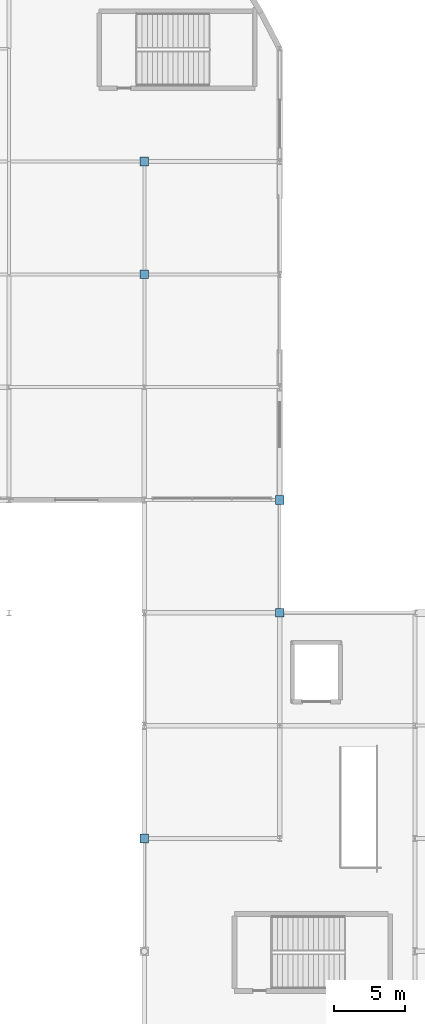
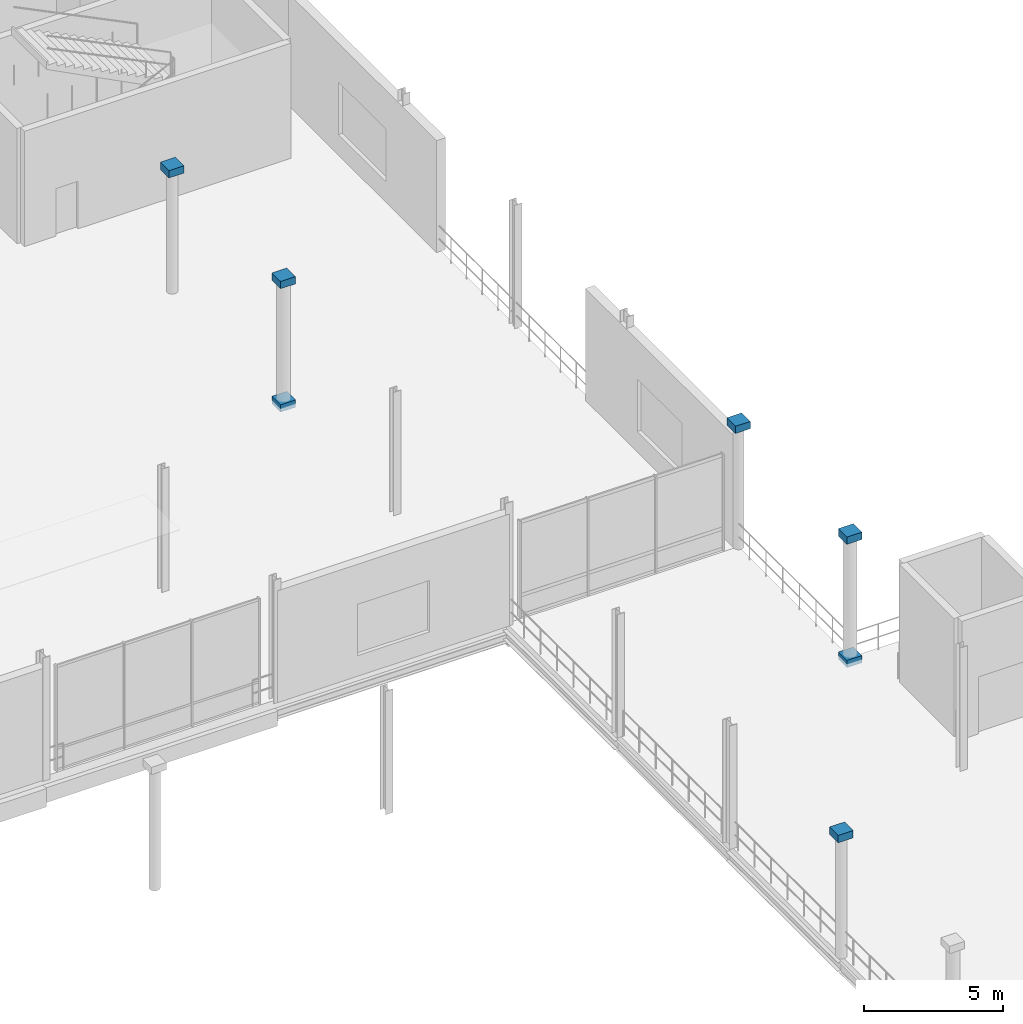
# One storey, part 98 of 129: 7 discrete accessories.
"""IFC4 building model written with IfcOpenShell, lengths in metres."""

from ifc_helpers import new_model, si_unit, direction, frame, origin, origin_2d, place, context, subcontext, project, spatial, rectangle, extrude, material, type_object, element, save


model = new_model("IFC4")

# Units and contexts
model_context = context("Model", 3, precision=1e-05, world=origin(), true_north=direction((0.0, 1.0)))
body_context = subcontext(model_context, "Body", "Model", "MODEL_VIEW")
ifc_project = project(units=[si_unit("LENGTHUNIT", "METRE"), si_unit("AREAUNIT", "SQUARE_METRE"), si_unit("VOLUMEUNIT", "CUBIC_METRE"), si_unit("PLANEANGLEUNIT", "RADIAN"), si_unit("MASSUNIT", "GRAM", prefix="KILO")], contexts=[model_context])

# Site, building, storey
site_placement = place(None, origin())
site = spatial("IfcSite", under=ifc_project, at=site_placement, CompositionType="ELEMENT")
building_placement = place(site_placement, origin())
building = spatial("IfcBuilding", under=site, at=building_placement, Name="Danafjord Basin Convention Centre", CompositionType="ELEMENT")
storey_placement = place(building_placement, frame((0.0, 0.0, 6.0)))
storey = spatial("IfcBuildingStorey", under=building, at=storey_placement, Name="L01", CompositionType="ELEMENT", Elevation=6.0)

# Discrete accessories
ifc_material = material(Name="Steel S355", Category="steel")
discrete_accessory_type = type_object("IfcDiscreteAccessoryType", Name="ACC-SF-HUB", PredefinedType="BRACKET", material=ifc_material)
for number, where, z_axis, x_axis, name in (
    (1, (192.0, 64.0, 5.23974609375), (0.0, 0.0, 1.0), (1.0, 0.0, 0.0), "Tubular steel column top cap plate"),
    (2, (192.0, 104.0, -0.16015625), (0.0, 0.0, 1.0), (1.0, 0.0, 0.0), "Tubular steel column transition collar"),
    (3, (192.0, 104.0, 5.23974609375), (0.0, 0.0, 1.0), (1.0, 0.0, 0.0), "Tubular steel column top cap plate"),
    (4, (192.0, 112.0, 5.23974609375), (0.0, 0.0, 1.0), (1.0, 0.0, 0.0), "Tubular steel column top cap plate"),
    (5, (201.60009765625, 80.0, -0.16015625), (0.0, 0.0, 1.0), (1.0, 0.0, 0.0), "Tubular steel column transition collar"),
    (6, (201.60009765625, 80.0, 5.23974609375), (0.0, 0.0, 1.0), (1.0, 0.0, 0.0), "Tubular steel column top cap plate"),
    (7, (201.60009765625, 88.0, 5.23974609375), (0.0, 0.0, 1.0), (1.0, 0.0, 0.0), "Tubular steel column top cap plate"),
):
    element("IfcDiscreteAccessory", number, at=place(storey_placement, frame(where, z_axis=z_axis, x_axis=x_axis)), inside=storey, type_object=discrete_accessory_type, Name=name, PredefinedType="BRACKET", context=body_context, shape_type="SweptSolid", body=[
        extrude(rectangle(XDim=0.6201171875, YDim=0.6201171875, at=origin_2d()), origin(), (0.0, 0.0, 1.0), 0.320068359375),
    ])

save(model, "model.ifc")
